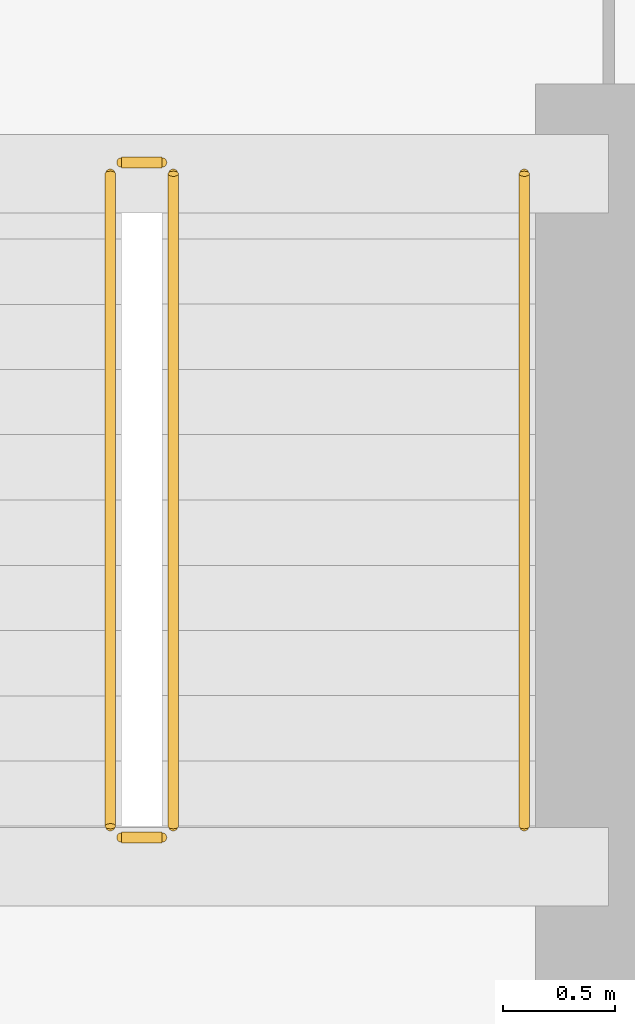
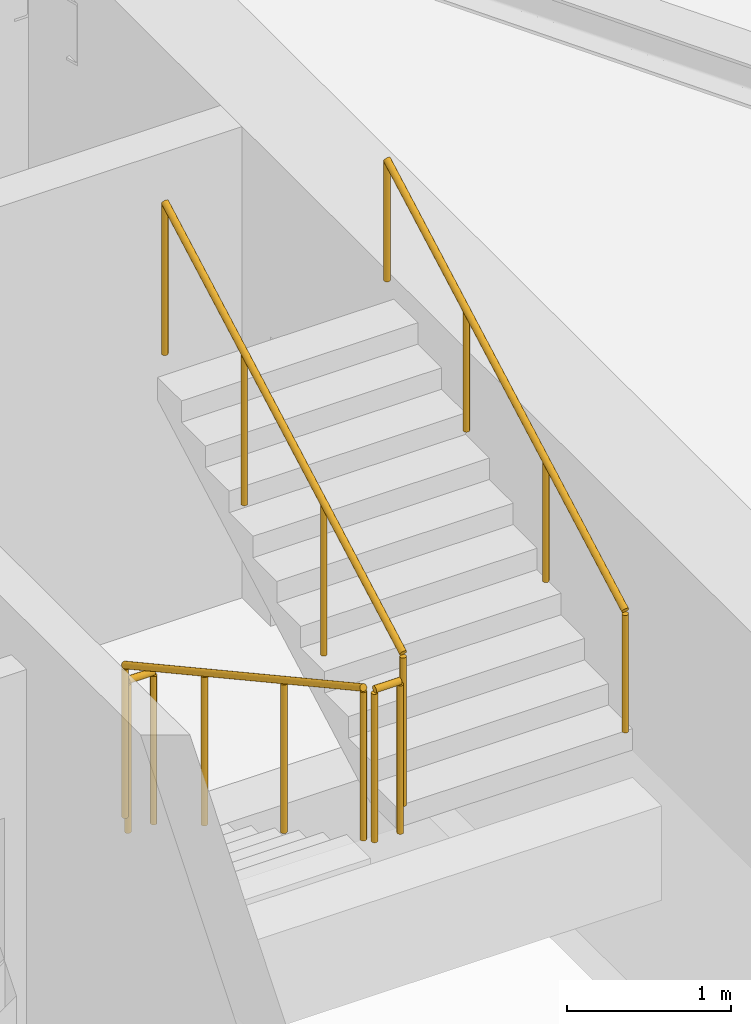
# One storey, part 10 of 10: 5 railings.
"""IFC4 building model written with IfcOpenShell, lengths in metres."""

from ifc_helpers import new_model, si_unit, direction, frame, origin, origin_2d, place, context, subcontext, project, spatial, circle, extrude, material, type_object, element, save


model = new_model("IFC4")

# Units and contexts
model_context = context("Model", 3, precision=1e-05, world=origin(), true_north=direction((0.0, 1.0)))
body_context = subcontext(model_context, "Body", "Model", "MODEL_VIEW")
ifc_project = project(units=[si_unit("LENGTHUNIT", "METRE"), si_unit("AREAUNIT", "SQUARE_METRE"), si_unit("VOLUMEUNIT", "CUBIC_METRE"), si_unit("PLANEANGLEUNIT", "RADIAN"), si_unit("MASSUNIT", "GRAM", prefix="KILO")], contexts=[model_context])

# Site, building, storey
site_placement = place(None, origin())
site = spatial("IfcSite", under=ifc_project, at=site_placement, CompositionType="ELEMENT")
building_placement = place(site_placement, origin())
building = spatial("IfcBuilding", under=site, at=building_placement, Name="Calvemar Wedge Station Tower", CompositionType="ELEMENT")
storey_placement = place(building_placement, frame((0.0, 0.0, 207.89990234375)))
storey = spatial("IfcBuildingStorey", under=building, at=storey_placement, Name="L52", CompositionType="ELEMENT", Elevation=207.89990234375)

# Railings
ifc_material_1 = material(Name="Stainless steel AISI 316L", Category="steel")
railing_type_1 = type_object("IfcRailingType", Name="RL-HANDRAIL-920", PredefinedType="HANDRAIL", material=ifc_material_1)
railing_1_placement = place(storey_placement, frame((30.949951171875, 38.25, 1.9091796875)))
element("IfcRailing", 1, at=railing_1_placement, inside=storey, type_object=railing_type_1, Name="L52 ST-C2 stair handrail 2", PredefinedType="HANDRAIL", context=body_context, shape_type="SweptSolid", body=[
    extrude(circle(Radius=0.02392578125, at=origin_2d()), frame((0.0, 0.0, 0.89599609375), z_axis=(0.0, 0.876742130028, 0.480960744171), x_axis=(-1.0, 0.0, 0.0)), (0.0, 0.0, 1.0), 3.3076171875),
    extrude(circle(Radius=0.02099609375, at=origin_2d()), origin(), (0.0, 0.0, 1.0), 0.871826171875),
    extrude(circle(Radius=0.02099609375, at=origin_2d()), frame((0.0, 0.966552734375, 0.5302734375)), (0.0, 0.0, 1.0), 0.871826171875),
    extrude(circle(Radius=0.02099609375, at=origin_2d()), frame((0.0, 1.933349609375, 1.060546875)), (0.0, 0.0, 1.0), 0.871826171875),
    extrude(circle(Radius=0.02099609375, at=origin_2d()), frame((0.0, 2.89990234375, 1.5908203125)), (0.0, 0.0, 1.0), 0.871826171875),
])
ifc_material_2 = material(Name="Painted steel guardrail ASTM A500 Grade C", Category="steel")
railing_type_2 = type_object("IfcRailingType", Name="RL-STAIR-GUARD-1150", PredefinedType="GUARDRAIL", material=ifc_material_2)
railing_2_placement = place(storey_placement, frame((29.110107421875, 41.14990234375, 0.1591796875)))
element("IfcRailing", 2, at=railing_2_placement, inside=storey, type_object=railing_type_2, Name="L52 ST-C2 stair guard 1", PredefinedType="GUARDRAIL", context=body_context, shape_type="SweptSolid", body=[
    extrude(circle(Radius=0.02392578125, at=origin_2d()), frame((0.0, 0.0, 1.1259765625), z_axis=(0.0, -0.876742130028, 0.480960744171), x_axis=(1.0, 0.0, 0.0)), (0.0, 0.0, 1.0), 3.3076171875),
    extrude(circle(Radius=0.02099609375, at=origin_2d()), origin(), (0.0, 0.0, 1.0), 1.101806640625),
    extrude(circle(Radius=0.02099609375, at=origin_2d()), frame((0.0, -0.966552734375, 0.5302734375)), (0.0, 0.0, 1.0), 1.101806640625),
    extrude(circle(Radius=0.02099609375, at=origin_2d()), frame((0.0, -1.933349609375, 1.060546875)), (0.0, 0.0, 1.0), 1.101806640625),
    extrude(circle(Radius=0.02099609375, at=origin_2d()), frame((0.0, -2.89990234375, 1.5908203125)), (0.0, 0.0, 1.0), 1.101806640625),
])
railing_3_placement = place(storey_placement, frame((29.159912109375, 38.199951171875, 1.75)))
element("IfcRailing", 3, at=railing_3_placement, inside=storey, type_object=railing_type_2, Name="L52 ST-C2 stair guard 2", PredefinedType="GUARDRAIL", context=body_context, shape_type="SweptSolid", body=[
    extrude(circle(Radius=0.02392578125, at=origin_2d()), frame((0.0, 0.0, 1.1259765625), z_axis=(1.0, 0.0, 0.0), x_axis=(0.0, 1.0, 0.0)), (0.0, 0.0, 1.0), 0.18017578125),
    extrude(circle(Radius=0.02099609375, at=origin_2d()), origin(), (0.0, 0.0, 1.0), 1.101806640625),
    extrude(circle(Radius=0.02099609375, at=origin_2d()), frame((0.18017578125, 0.0, 0.0)), (0.0, 0.0, 1.0), 1.101806640625),
])
railing_4_placement = place(storey_placement, frame((29.389892578125, 38.25, 1.9091796875)))
element("IfcRailing", 4, at=railing_4_placement, inside=storey, type_object=railing_type_2, Name="L52 ST-C2 stair guard 3", PredefinedType="GUARDRAIL", context=body_context, shape_type="SweptSolid", body=[
    extrude(circle(Radius=0.02392578125, at=origin_2d()), frame((0.0, 0.0, 1.1259765625), z_axis=(0.0, 0.876742130028, 0.480960744171), x_axis=(-1.0, 0.0, 0.0)), (0.0, 0.0, 1.0), 3.3076171875),
    extrude(circle(Radius=0.02099609375, at=origin_2d()), origin(), (0.0, 0.0, 1.0), 1.101806640625),
    extrude(circle(Radius=0.02099609375, at=origin_2d()), frame((0.0, 0.966552734375, 0.5302734375)), (0.0, 0.0, 1.0), 1.101806640625),
    extrude(circle(Radius=0.02099609375, at=origin_2d()), frame((0.0, 1.933349609375, 1.060546875)), (0.0, 0.0, 1.0), 1.101806640625),
    extrude(circle(Radius=0.02099609375, at=origin_2d()), frame((0.0, 2.89990234375, 1.5908203125)), (0.0, 0.0, 1.0), 1.101806640625),
])
railing_5_placement = place(storey_placement, frame((29.159912109375, 41.199951171875, 0.0)))
element("IfcRailing", 5, at=railing_5_placement, inside=storey, type_object=railing_type_2, Name="L52 ST-C2 stair guard 4", PredefinedType="GUARDRAIL", context=body_context, shape_type="SweptSolid", body=[
    extrude(circle(Radius=0.02392578125, at=origin_2d()), frame((0.0, 0.0, 1.1259765625), z_axis=(1.0, 0.0, 0.0), x_axis=(0.0, 1.0, 0.0)), (0.0, 0.0, 1.0), 0.18017578125),
    extrude(circle(Radius=0.02099609375, at=origin_2d()), origin(), (0.0, 0.0, 1.0), 1.101806640625),
    extrude(circle(Radius=0.02099609375, at=origin_2d()), frame((0.18017578125, 0.0, 0.0)), (0.0, 0.0, 1.0), 1.101806640625),
])

save(model, "model.ifc")
